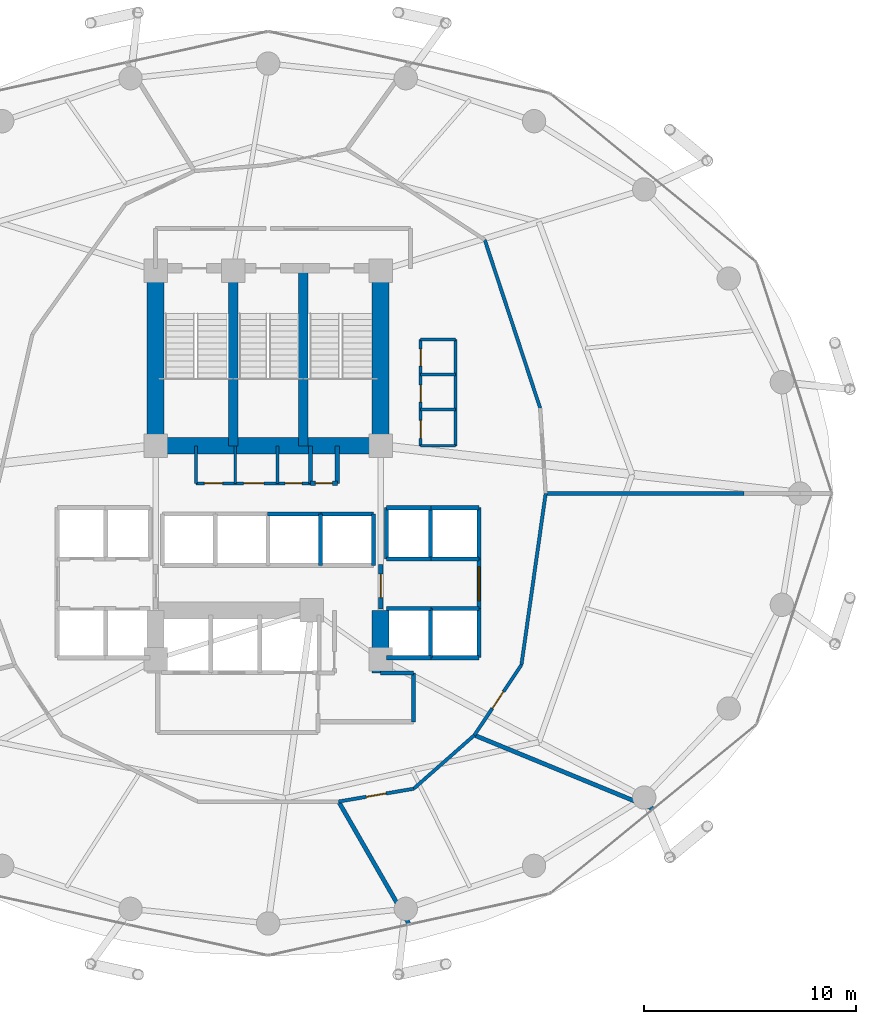
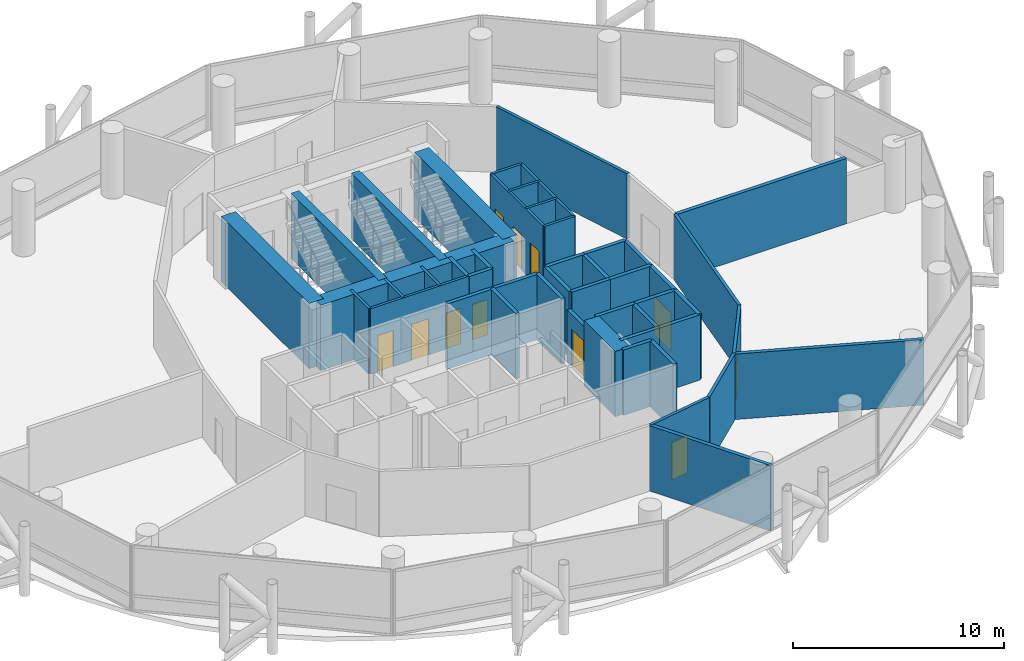
# One storey, part 22 of 24: 48 walls, 11 doors, 11 openings.
"""IFC4 building model written with IfcOpenShell, lengths in metres."""

from ifc_helpers import new_model, si_unit, direction, frame, frame_2d, origin, place, context, subcontext, project, spatial, rectangle, extrude, material, layer, layer_set, type_object, element, fill, save


model = new_model("IFC4")

# Units and contexts
model_context = context("Model", 3, precision=1e-05, world=origin(), true_north=direction((0.0, 1.0)))
body_context = subcontext(model_context, "Body", "Model", "MODEL_VIEW")
ifc_project = project(units=[si_unit("LENGTHUNIT", "METRE"), si_unit("AREAUNIT", "SQUARE_METRE"), si_unit("VOLUMEUNIT", "CUBIC_METRE"), si_unit("PLANEANGLEUNIT", "RADIAN"), si_unit("MASSUNIT", "GRAM", prefix="KILO")], contexts=[model_context])

# Site, building, storey
site_placement = place(None, origin())
site = spatial("IfcSite", under=ifc_project, at=site_placement, CompositionType="ELEMENT")
building_placement = place(site_placement, origin())
building = spatial("IfcBuilding", under=site, at=building_placement, Name="Nuhasar Tower", CompositionType="ELEMENT")
storey_placement = place(building_placement, frame((0.0, 0.0, 29.10009765625)))
storey = spatial("IfcBuildingStorey", under=building, at=storey_placement, Name="L06", CompositionType="ELEMENT", Elevation=29.10009765625)

# Walls
ifc_material_1 = material(Name="Concrete C50/60", Category="concrete")
ifc_layer_1 = layer(ifc_material_1, 0.449951171875)
ifc_layer_set_1 = layer_set([ifc_layer_1], Name="Concrete C50/60")
wall_type_1 = type_object("IfcWallType", Name="WL-CORE-450", PredefinedType="SHEAR", material=ifc_layer_set_1)
for number, where, z_axis, x_axis, name in (
    (1, (37.35009765625, 29.050048828125, 0.0), (0.0, 0.0, 1.0), (0.0, 1.0, 0.0), "L06 Stairwell Shear Wall ST01-E"),
    (2, (40.64990234375, 29.050048828125, 0.0), (0.0, 0.0, 1.0), (0.0, 1.0, 0.0), "L06 Stairwell Shear Wall ST03-E"),
):
    element("IfcWall", number, at=place(storey_placement, frame(where, z_axis=z_axis, x_axis=x_axis)), inside=storey, type_object=wall_type_1, Name=name, PredefinedType="SHEAR", context=body_context, shape_type="SweptSolid", body=[
        extrude(rectangle(XDim=8.349853515625, YDim=0.449951171875, at=frame_2d((4.1748046875, 0.0))), origin(), (0.0, 0.0, 1.0), 3.789794921875),
    ])
ifc_material_2 = material(Name="Concrete C80/95", Category="concrete")
ifc_layer_2 = layer(ifc_material_2, 0.800048828125)
ifc_layer_set_2 = layer_set([ifc_layer_2], Name="Concrete C80/95")
wall_type_2 = type_object("IfcWallType", Name="WL-CORE-800", PredefinedType="SHEAR", material=ifc_layer_set_2)
for number, where, z_axis, x_axis, name in (
    (3, (33.699951171875, 29.050048828125, 0.0), (0.0, 0.0, 1.0), (0.0, 1.0, 0.0), "L06 Core Shear Wall CW-NW CW-800"),
    (4, (44.300048828125, 29.050048828125, 0.0), (0.0, 0.0, 1.0), (0.0, 1.0, 0.0), "L06 Core Shear Wall CW-NE CW-800"),
):
    element("IfcWall", number, at=place(storey_placement, frame(where, z_axis=z_axis, x_axis=x_axis)), inside=storey, type_object=wall_type_2, Name=name, PredefinedType="SHEAR", context=body_context, shape_type="SweptSolid", body=[
        extrude(rectangle(XDim=8.349853515625, YDim=0.800048828125, at=frame_2d((4.1748046875, 0.0))), origin(), (0.0, 0.0, 1.0), 3.789794921875),
    ])
wall_1_placement = place(storey_placement, frame((44.300048828125, 18.35009765625, 0.0), z_axis=(0.0, 0.0, 1.0), x_axis=(0.0, 1.0, 0.0)))
element("IfcWall", 5, at=wall_1_placement, inside=storey, type_object=wall_type_2, Name="L06 Core Shear Wall CW-SE CW-800", PredefinedType="SHEAR", context=body_context, shape_type="SweptSolid", body=[
    extrude(rectangle(XDim=2.949951171875, YDim=0.800048828125, at=frame_2d((1.47509765625, 0.0))), origin(), (0.0, 0.0, 1.0), 3.789794921875),
])
wall_2_placement = place(storey_placement, frame((33.699951171875, 29.050048828125, 0.0), z_axis=(0.0, 0.0, 1.0), x_axis=(1.0, 0.0, 0.0)))
element("IfcWall", 6, at=wall_2_placement, inside=storey, type_object=wall_type_2, Name="L06 Core Shear Wall CW-N1 CW-800", PredefinedType="SHEAR", context=body_context, shape_type="SweptSolid", body=[
    extrude(rectangle(XDim=10.60009765625, YDim=0.800048828125, at=frame_2d((5.300048828125, 0.0))), origin(), (0.0, 0.0, 1.0), 3.789794921875),
])
ifc_material_3 = material(Name="Gypsum Board", Category="gypsum")
ifc_layer_3 = layer(ifc_material_3, 0.159912109375)
ifc_layer_set_3 = layer_set([ifc_layer_3], Name="Gypsum Board")
wall_type_3 = type_object("IfcWallType", Name="WL-CORR-160", PredefinedType="PARTITIONING", material=ifc_layer_set_3)
wall_3_placement = place(storey_placement, frame((51.81201171875, 30.822021484375, 0.0), z_axis=(0.0, 0.0, 1.0), x_axis=(-0.312751602659, 0.94983495147, 0.0)))
element("IfcWall", 7, at=wall_3_placement, inside=storey, type_object=wall_type_3, Name="L06 Interior Partition CORR-02", PredefinedType="PARTITIONING", context=body_context, shape_type="SweptSolid", body=[
    extrude(rectangle(XDim=8.3486328125, YDim=0.159912109375, at=frame_2d((4.17431640625, 0.0))), origin(), (0.0, 0.0, 1.0), 3.789794921875),
])

# Wall, opening, door
wall_4_placement = place(storey_placement, frame((45.85205078125, 12.89501953125, 0.0), z_axis=(0.0, 0.0, 1.0), x_axis=(-0.985751576779, -0.168207695658, 0.0)))
wall_4 = element("IfcWall", 8, at=wall_4_placement, inside=storey, type_object=wall_type_3, Name="L06 Interior Partition CORR-38", PredefinedType="PARTITIONING", context=body_context, shape_type="SweptSolid", body=[
    extrude(rectangle(XDim=3.5849609375, YDim=0.159912109375, at=frame_2d((1.79248046875, 0.0))), origin(), (0.0, 0.0, 1.0), 3.789794921875),
])
opening_1_placement = place(wall_4_placement, frame((1.318115234375, 0.0, 0.0)))
opening_1 = element("IfcOpeningElement", 9, at=opening_1_placement, cuts=wall_4, Name="Opening DO-01", PredefinedType="OPENING", context=body_context, shape_type="SweptSolid", body=[
    extrude(rectangle(XDim=0.949951171875, YDim=2.14990234375, at=frame_2d((0.47509765625, 1.074951171875))), frame((0.0, 0.08984375, 0.0), z_axis=(0.0, -1.0, 0.0), x_axis=(1.0, 0.0, 0.0)), (0.0, 0.0, 1.0), 0.179931640625),
])
ifc_material_4 = material(Name="Timber Oak", Category="wood")
door_type_1 = type_object("IfcDoorType", Name="DR-OFFICE-FD30-950", OperationType="NOTDEFINED", PredefinedType="DOOR", material=ifc_material_4)
door_1_placement = place(opening_1_placement, origin())
door_1 = element("IfcDoor", 10, at=door_1_placement, inside=storey, type_object=door_type_1, Name="L06 Client Wellness Lounge Entry Door", OperationType="SINGLE_SWING_RIGHT", OverallHeight=2.14990234375, OverallWidth=0.949951171875, PredefinedType="DOOR", context=body_context, shape_type="SweptSolid", body=[
    extrude(rectangle(XDim=0.949951171875, YDim=2.14990234375, at=frame_2d((0.47509765625, 1.074951171875))), frame((0.0, 0.02490234375, 0.0), z_axis=(0.0, -1.0, 0.0), x_axis=(1.0, 0.0, 0.0)), (0.0, 0.0, 1.0), 0.050048828125),
])
fill(opening_1, door_1)

# Wall
wall_5_placement = place(storey_placement, frame((45.85205078125, 12.89501953125, 0.0), z_axis=(0.0, 0.0, 1.0), x_axis=(0.75014962781, 0.661268127083, 0.0)))
element("IfcWall", 11, at=wall_5_placement, inside=storey, type_object=wall_type_3, Name="L06 Interior Partition CORR-40", PredefinedType="PARTITIONING", context=body_context, shape_type="SweptSolid", body=[
    extrude(rectangle(XDim=3.8154296875, YDim=0.159912109375, at=frame_2d((1.90771484375, 0.0))), origin(), (0.0, 0.0, 1.0), 3.789794921875),
])

# Wall, opening, door
wall_6_placement = place(storey_placement, frame((50.929931640625, 18.72998046875, 0.0), z_axis=(0.0, 0.0, 1.0), x_axis=(-0.556056751682, -0.831144324958, 0.0)))
wall_6 = element("IfcWall", 12, at=wall_6_placement, inside=storey, type_object=wall_type_3, Name="L06 Interior Partition CORR-42", PredefinedType="PARTITIONING", context=body_context, shape_type="SweptSolid", body=[
    extrude(rectangle(XDim=3.98486328125, YDim=0.159912109375, at=frame_2d((1.992431640625, 0.0))), origin(), (0.0, 0.0, 1.0), 3.789794921875),
])
opening_2_placement = place(wall_6_placement, frame((1.51708984375, 0.0, 0.0)))
opening_2 = element("IfcOpeningElement", 13, at=opening_2_placement, cuts=wall_6, Name="Opening DO-01", PredefinedType="OPENING", context=body_context, shape_type="SweptSolid", body=[
    extrude(rectangle(XDim=0.949951171875, YDim=2.14990234375, at=frame_2d((0.47509765625, 1.074951171875))), frame((0.0, 0.08984375, 0.0), z_axis=(0.0, -1.0, 0.0), x_axis=(1.0, 0.0, 0.0)), (0.0, 0.0, 1.0), 0.179931640625),
])
door_2_placement = place(opening_2_placement, origin())
door_2 = element("IfcDoor", 14, at=door_2_placement, inside=storey, type_object=door_type_1, Name="L06 Tenant Archive Store Entry Door", OperationType="SINGLE_SWING_RIGHT", OverallHeight=2.14990234375, OverallWidth=0.949951171875, PredefinedType="DOOR", context=body_context, shape_type="SweptSolid", body=[
    extrude(rectangle(XDim=0.949951171875, YDim=2.14990234375, at=frame_2d((0.47509765625, 1.074951171875))), frame((0.0, 0.02490234375, 0.0), z_axis=(0.0, -1.0, 0.0), x_axis=(1.0, 0.0, 0.0)), (0.0, 0.0, 1.0), 0.050048828125),
])
fill(opening_2, door_2)

# Wall
wall_7_placement = place(storey_placement, frame((50.929931640625, 18.72998046875, 0.0), z_axis=(0.0, 0.0, 1.0), x_axis=(0.139890479785, 0.990166982718, 0.0)))
element("IfcWall", 15, at=wall_7_placement, inside=storey, type_object=wall_type_3, Name="L06 Interior Partition CORR-44", PredefinedType="PARTITIONING", context=body_context, shape_type="SweptSolid", body=[
    extrude(rectangle(XDim=8.150146484375, YDim=0.159912109375, at=frame_2d((4.0751953125, 0.0))), origin(), (0.0, 0.0, 1.0), 3.789794921875),
])

# Wall, opening, door
ifc_material_5 = material(Name="Concrete C45/55", Category="concrete")
ifc_layer_4 = layer(ifc_material_5, 0.199951171875)
ifc_layer_set_4 = layer_set([ifc_layer_4], Name="Concrete C45/55")
wall_type_4 = type_object("IfcWallType", Name="WL-LOBBY-200", PredefinedType="SOLIDWALL", material=ifc_layer_set_4)
wall_8_placement = place(storey_placement, frame((48.929931640625, 21.3798828125, 0.0), z_axis=(0.0, 0.0, 1.0), x_axis=(0.0, 1.0, 0.0)))
wall_8 = element("IfcWall", 16, at=wall_8_placement, inside=storey, type_object=wall_type_4, Name="L06 Interior Partition LLBM-E", PredefinedType="SOLIDWALL", context=body_context, shape_type="SweptSolid", body=[
    extrude(rectangle(XDim=2.340087890625, YDim=0.199951171875, at=frame_2d((1.169921875, 0.0))), origin(), (0.0, 0.0, 1.0), 3.789794921875),
])
opening_3_placement = place(wall_8_placement, frame((0.3701171875, 0.0, 0.0)))
opening_3 = element("IfcOpeningElement", 17, at=opening_3_placement, cuts=wall_8, Name="Opening DC-01", PredefinedType="OPENING", context=body_context, shape_type="SweptSolid", body=[
    extrude(rectangle(XDim=1.60009765625, YDim=2.199951171875, at=frame_2d((0.800048828125, 1.10009765625))), frame((0.0, 0.10986328125, 0.0), z_axis=(0.0, -1.0, 0.0), x_axis=(1.0, 0.0, 0.0)), (0.0, 0.0, 1.0), 0.219970703125),
])
ifc_material_6 = material(Name="Steel S355", Category="steel")
door_type_2 = type_object("IfcDoorType", Name="DR-CORR-FD60-1600", OperationType="DOUBLE_DOOR_SINGLE_SWING", PredefinedType="DOOR", material=ifc_material_6)
door_3_placement = place(opening_3_placement, origin())
door_3 = element("IfcDoor", 18, at=door_3_placement, inside=storey, type_object=door_type_2, Name="L06 Mid-Rise Lift Lobby East Entry", OperationType="DOUBLE_DOOR_SINGLE_SWING", OverallHeight=2.199951171875, OverallWidth=1.60009765625, PredefinedType="DOOR", context=body_context, shape_type="SweptSolid", body=[
    extrude(rectangle(XDim=1.60009765625, YDim=2.199951171875, at=frame_2d((0.800048828125, 1.10009765625))), frame((0.0, 0.02490234375, 0.0), z_axis=(0.0, -1.0, 0.0), x_axis=(1.0, 0.0, 0.0)), (0.0, 0.0, 1.0), 0.050048828125),
])
fill(opening_3, door_3)

wall_9_placement = place(storey_placement, frame((44.300048828125, 21.35009765625, 0.0), z_axis=(0.0, 0.0, 1.0), x_axis=(0.0, 1.0, 0.0)))
wall_9 = element("IfcWall", 19, at=wall_9_placement, inside=storey, type_object=wall_type_4, Name="L06 Interior Partition LLBH-E", PredefinedType="SOLIDWALL", context=body_context, shape_type="SweptSolid", body=[
    extrude(rectangle(XDim=2.099853515625, YDim=0.199951171875, at=frame_2d((1.0498046875, 0.0))), origin(), (0.0, 0.0, 1.0), 3.010009765625),
])
opening_4_placement = place(wall_9_placement, frame((0.550048828125, 0.0, 0.0)))
opening_4 = element("IfcOpeningElement", 20, at=opening_4_placement, cuts=wall_9, Name="Opening DS-02", PredefinedType="OPENING", context=body_context, shape_type="SweptSolid", body=[
    extrude(rectangle(XDim=1.10009765625, YDim=2.14990234375, at=frame_2d((0.550048828125, 1.074951171875))), frame((0.0, 0.10986328125, 0.0), z_axis=(0.0, -1.0, 0.0), x_axis=(1.0, 0.0, 0.0)), (0.0, 0.0, 1.0), 0.219970703125),
])
door_type_3 = type_object("IfcDoorType", Name="DR-FFL-FD120-1100", OperationType="NOTDEFINED", PredefinedType="DOOR", material=ifc_material_6)
door_4_placement = place(opening_4_placement, origin())
door_4 = element("IfcDoor", 21, at=door_4_placement, inside=storey, type_object=door_type_3, Name="L06 High-Rise Lobby East Door", OperationType="SINGLE_SWING_RIGHT", OverallHeight=2.14990234375, OverallWidth=1.10009765625, PredefinedType="DOOR", context=body_context, shape_type="SweptSolid", body=[
    extrude(rectangle(XDim=1.10009765625, YDim=2.14990234375, at=frame_2d((0.550048828125, 1.074951171875))), frame((0.0, 0.02490234375, 0.0), z_axis=(0.0, -1.0, 0.0), x_axis=(1.0, 0.0, 0.0)), (0.0, 0.0, 1.0), 0.050048828125),
])
fill(opening_4, door_4)

# Walls
wall_10_placement = place(storey_placement, frame((45.85009765625, 16.050048828125, 0.0), z_axis=(0.0, 0.0, 1.0), x_axis=(0.0, 1.0, 0.0)))
element("IfcWall", 22, at=wall_10_placement, inside=storey, type_object=wall_type_4, Name="L06 Interior Partition SVLV-E", PredefinedType="SOLIDWALL", context=body_context, shape_type="SweptSolid", body=[
    extrude(rectangle(XDim=2.300048828125, YDim=0.199951171875, at=frame_2d((1.14990234375, 0.0))), origin(), (0.0, 0.0, 1.0), 3.789794921875),
])
wall_11_placement = place(storey_placement, frame((44.300048828125, 18.35009765625, 0.0), z_axis=(0.0, 0.0, 1.0), x_axis=(1.0, 0.0, 0.0)))
element("IfcWall", 23, at=wall_11_placement, inside=storey, type_object=wall_type_4, Name="L06 Interior Partition SVLV-N", PredefinedType="SOLIDWALL", context=body_context, shape_type="SweptSolid", body=[
    extrude(rectangle(XDim=1.550048828125, YDim=0.199951171875, at=frame_2d((0.77490234375, 0.0))), origin(), (0.0, 0.0, 1.0), 3.789794921875),
])
ifc_layer_5 = layer(ifc_material_5, 0.199951171875)
ifc_layer_set_5 = layer_set([ifc_layer_5], Name="Concrete C45/55")
wall_type_5 = type_object("IfcWallType", Name="WL-SHAFT-200", PredefinedType="SOLIDWALL", material=ifc_layer_set_5)
for number, where, z_axis, x_axis, name in (
    (24, (41.0, 27.280029296875, 0.0), (0.0, 0.0, 1.0), (0.0, 1.0, 0.0), "L06 Interior Partition RSRN-W"),
    (25, (42.260009765625, 27.280029296875, 0.0), (0.0, 0.0, 1.0), (0.0, 1.0, 0.0), "L06 Interior Partition RSRN-E"),
):
    element("IfcWall", number, at=place(storey_placement, frame(where, z_axis=z_axis, x_axis=x_axis)), inside=storey, type_object=wall_type_5, Name=name, PredefinedType="SOLIDWALL", context=body_context, shape_type="SweptSolid", body=[
        extrude(rectangle(XDim=1.77001953125, YDim=0.199951171875, at=frame_2d((0.885009765625, 0.0))), origin(), (0.0, 0.0, 1.0), 3.789794921875),
    ])

# Wall, opening, door
wall_12_placement = place(storey_placement, frame((41.0, 27.280029296875, 0.0), z_axis=(0.0, 0.0, 1.0), x_axis=(1.0, 0.0, 0.0)))
wall_12 = element("IfcWall", 26, at=wall_12_placement, inside=storey, type_object=wall_type_5, Name="L06 Interior Partition RSRN-S", PredefinedType="SOLIDWALL", context=body_context, shape_type="SweptSolid", body=[
    extrude(rectangle(XDim=1.260009765625, YDim=0.199951171875, at=frame_2d((0.6298828125, 0.0))), origin(), (0.0, 0.0, 1.0), 3.789794921875),
])
opening_5_placement = place(wall_12_placement, frame((0.22998046875, 0.0, 0.0)))
opening_5 = element("IfcOpeningElement", 27, at=opening_5_placement, cuts=wall_12, Name="Opening DM-01", PredefinedType="OPENING", context=body_context, shape_type="SweptSolid", body=[
    extrude(rectangle(XDim=0.800048828125, YDim=2.050048828125, at=frame_2d((0.39990234375, 1.02490234375))), frame((0.0, 0.10986328125, 0.0), z_axis=(0.0, -1.0, 0.0), x_axis=(1.0, 0.0, 0.0)), (0.0, 0.0, 1.0), 0.219970703125),
])
door_type_4 = type_object("IfcDoorType", Name="DR-RISER-FD60-800", OperationType="NOTDEFINED", PredefinedType="DOOR", material=ifc_material_6)
door_5_placement = place(opening_5_placement, origin())
door_5 = element("IfcDoor", 28, at=door_5_placement, inside=storey, type_object=door_type_4, Name="L06 North Smoke Riser Door", OperationType="SINGLE_SWING_RIGHT", OverallHeight=2.050048828125, OverallWidth=0.800048828125, PredefinedType="DOOR", context=body_context, shape_type="SweptSolid", body=[
    extrude(rectangle(XDim=0.800048828125, YDim=2.050048828125, at=frame_2d((0.39990234375, 1.02490234375))), frame((0.0, 0.02490234375, 0.0), z_axis=(0.0, -1.0, 0.0), x_axis=(1.0, 0.0, 0.0)), (0.0, 0.0, 1.0), 0.050048828125),
])
fill(opening_5, door_5)

# Walls
for number, where, z_axis, x_axis, name in (
    (29, (44.570068359375, 23.719970703125, 0.0), (0.0, 0.0, 1.0), (1.0, 0.0, 0.0), "L06 Interior Partition SHF-PL-M01-S"),
    (30, (44.570068359375, 26.1298828125, 0.0), (0.0, 0.0, 1.0), (1.0, 0.0, 0.0), "L06 Interior Partition SHF-PL-M01-N"),
):
    element("IfcWall", number, at=place(storey_placement, frame(where, z_axis=z_axis, x_axis=x_axis)), inside=storey, type_object=wall_type_5, Name=name, PredefinedType="SOLIDWALL", context=body_context, shape_type="SweptSolid", body=[
        extrude(rectangle(XDim=2.10986328125, YDim=0.199951171875, at=frame_2d((1.054931640625, 0.0))), origin(), (0.0, 0.0, 1.0), 3.789794921875),
    ])
for number, where, z_axis, x_axis, name in (
    (31, (44.570068359375, 23.719970703125, 0.0), (0.0, 0.0, 1.0), (0.0, 1.0, 0.0), "L06 Interior Partition SHF-PL-M01-W"),
    (32, (46.64990234375, 23.719970703125, 0.0), (0.0, 0.0, 1.0), (0.0, 1.0, 0.0), "L06 Interior Partition SHF-PL-M01-E"),
):
    element("IfcWall", number, at=place(storey_placement, frame(where, z_axis=z_axis, x_axis=x_axis)), inside=storey, type_object=wall_type_5, Name=name, PredefinedType="SOLIDWALL", context=body_context, shape_type="SweptSolid", body=[
        extrude(rectangle(XDim=2.409912109375, YDim=0.199951171875, at=frame_2d((1.205078125, 0.0))), origin(), (0.0, 0.0, 1.0), 3.789794921875),
    ])
for number, where, z_axis, x_axis, name in (
    (33, (46.6201171875, 23.719970703125, 0.0), (0.0, 0.0, 1.0), (1.0, 0.0, 0.0), "L06 Interior Partition SHF-PL-M02-S"),
    (34, (46.6201171875, 26.1298828125, 0.0), (0.0, 0.0, 1.0), (1.0, 0.0, 0.0), "L06 Interior Partition SHF-PL-M02-N"),
):
    element("IfcWall", number, at=place(storey_placement, frame(where, z_axis=z_axis, x_axis=x_axis)), inside=storey, type_object=wall_type_5, Name=name, PredefinedType="SOLIDWALL", context=body_context, shape_type="SweptSolid", body=[
        extrude(rectangle(XDim=2.309814453125, YDim=0.199951171875, at=frame_2d((1.15478515625, 0.0))), origin(), (0.0, 0.0, 1.0), 3.789794921875),
    ])
wall_13_placement = place(storey_placement, frame((48.929931640625, 23.719970703125, 0.0), z_axis=(0.0, 0.0, 1.0), x_axis=(0.0, 1.0, 0.0)))
element("IfcWall", 35, at=wall_13_placement, inside=storey, type_object=wall_type_5, Name="L06 Interior Partition SHF-PL-M02-E", PredefinedType="SOLIDWALL", context=body_context, shape_type="SweptSolid", body=[
    extrude(rectangle(XDim=2.409912109375, YDim=0.199951171875, at=frame_2d((1.205078125, 0.0))), origin(), (0.0, 0.0, 1.0), 3.789794921875),
])
for number, where, z_axis, x_axis, name in (
    (36, (44.570068359375, 19.070068359375, 0.0), (0.0, 0.0, 1.0), (1.0, 0.0, 0.0), "L06 Interior Partition SHF-PL-M03-S"),
    (37, (44.570068359375, 21.3798828125, 0.0), (0.0, 0.0, 1.0), (1.0, 0.0, 0.0), "L06 Interior Partition SHF-PL-M03-N"),
):
    element("IfcWall", number, at=place(storey_placement, frame(where, z_axis=z_axis, x_axis=x_axis)), inside=storey, type_object=wall_type_5, Name=name, PredefinedType="SOLIDWALL", context=body_context, shape_type="SweptSolid", body=[
        extrude(rectangle(XDim=2.10986328125, YDim=0.199951171875, at=frame_2d((1.054931640625, 0.0))), origin(), (0.0, 0.0, 1.0), 3.789794921875),
    ])
for number, where, z_axis, x_axis, name in (
    (38, (46.64990234375, 19.070068359375, 0.0), (0.0, 0.0, 1.0), (0.0, 1.0, 0.0), "L06 Interior Partition SHF-PL-M03-E"),
    (39, (46.6201171875, 19.070068359375, 0.0), (0.0, 0.0, 1.0), (1.0, 0.0, 0.0), "L06 Interior Partition SHF-PL-M04-S"),
    (40, (46.6201171875, 21.3798828125, 0.0), (0.0, 0.0, 1.0), (1.0, 0.0, 0.0), "L06 Interior Partition SHF-PL-M04-N"),
    (41, (48.929931640625, 19.070068359375, 0.0), (0.0, 0.0, 1.0), (0.0, 1.0, 0.0), "L06 Interior Partition SHF-PL-M04-E"),
):
    element("IfcWall", number, at=place(storey_placement, frame(where, z_axis=z_axis, x_axis=x_axis)), inside=storey, type_object=wall_type_5, Name=name, PredefinedType="SOLIDWALL", context=body_context, shape_type="SweptSolid", body=[
        extrude(rectangle(XDim=2.309814453125, YDim=0.199951171875, at=frame_2d((1.15478515625, 0.0))), origin(), (0.0, 0.0, 1.0), 3.789794921875),
    ])
wall_14_placement = place(storey_placement, frame((38.97998046875, 25.830078125, 0.0), z_axis=(0.0, 0.0, 1.0), x_axis=(1.0, 0.0, 0.0)))
element("IfcWall", 42, at=wall_14_placement, inside=storey, type_object=wall_type_5, Name="L06 Interior Partition SHF-PL-H03-N", PredefinedType="SOLIDWALL", context=body_context, shape_type="SweptSolid", body=[
    extrude(rectangle(XDim=2.5, YDim=0.199951171875, at=frame_2d((1.25, 0.0))), origin(), (0.0, 0.0, 1.0), 3.789794921875),
])
wall_15_placement = place(storey_placement, frame((41.469970703125, 23.419921875, 0.0), z_axis=(0.0, 0.0, 1.0), x_axis=(0.0, 1.0, 0.0)))
element("IfcWall", 43, at=wall_15_placement, inside=storey, type_object=wall_type_5, Name="L06 Interior Partition SHF-PL-H03-E", PredefinedType="SOLIDWALL", context=body_context, shape_type="SweptSolid", body=[
    extrude(rectangle(XDim=2.41015625, YDim=0.199951171875, at=frame_2d((1.205078125, 0.0))), origin(), (0.0, 0.0, 1.0), 3.789794921875),
])
wall_16_placement = place(storey_placement, frame((41.4599609375, 25.830078125, 0.0), z_axis=(0.0, 0.0, 1.0), x_axis=(1.0, 0.0, 0.0)))
element("IfcWall", 44, at=wall_16_placement, inside=storey, type_object=wall_type_5, Name="L06 Interior Partition SHF-PL-H04-N", PredefinedType="SOLIDWALL", context=body_context, shape_type="SweptSolid", body=[
    extrude(rectangle(XDim=2.5, YDim=0.199951171875, at=frame_2d((1.25, 0.0))), origin(), (0.0, 0.0, 1.0), 3.789794921875),
])
wall_17_placement = place(storey_placement, frame((43.9599609375, 23.419921875, 0.0), z_axis=(0.0, 0.0, 1.0), x_axis=(0.0, 1.0, 0.0)))
element("IfcWall", 45, at=wall_17_placement, inside=storey, type_object=wall_type_5, Name="L06 Interior Partition SHF-PL-H04-E", PredefinedType="SOLIDWALL", context=body_context, shape_type="SweptSolid", body=[
    extrude(rectangle(XDim=2.41015625, YDim=0.199951171875, at=frame_2d((1.205078125, 0.0))), origin(), (0.0, 0.0, 1.0), 3.789794921875),
])
ifc_material_7 = material(Name="Concrete C40/50 precast", Category="concrete")
ifc_layer_6 = layer(ifc_material_7, 0.199951171875)
ifc_layer_set_6 = layer_set([ifc_layer_6], Name="Concrete C40/50 precast")
wall_type_6 = type_object("IfcWallType", Name="WL-UNIT-200", PredefinedType="PARTITIONING", material=ifc_layer_set_6)
wall_18_placement = place(storey_placement, frame((52.070068359375, 26.800048828125, 0.0), z_axis=(0.0, 0.0, 1.0), x_axis=(1.0, 0.0, 0.0)))
element("IfcWall", 46, at=wall_18_placement, inside=storey, type_object=wall_type_6, Name="L06 Interior Partition ORAD-00", PredefinedType="PARTITIONING", context=body_context, shape_type="SweptSolid", body=[
    extrude(rectangle(XDim=9.330810546875, YDim=0.199951171875, at=frame_2d((4.66552734375, 0.0))), origin(), (0.0, 0.0, 1.0), 3.789794921875),
])
wall_19_placement = place(storey_placement, frame((42.318115234375, 12.2919921875, 0.0), z_axis=(0.0, 0.0, 1.0), x_axis=(0.498565662125, -0.866851936925, 0.0)))
element("IfcWall", 47, at=wall_19_placement, inside=storey, type_object=wall_type_6, Name="L06 Interior Partition ORAD-38", PredefinedType="PARTITIONING", context=body_context, shape_type="SweptSolid", body=[
    extrude(rectangle(XDim=6.64697265625, YDim=0.199951171875, at=frame_2d((3.323486328125, 0.0))), origin(), (0.0, 0.0, 1.0), 3.789794921875),
])
wall_20_placement = place(storey_placement, frame((48.714111328125, 15.41796875, 0.0), z_axis=(0.0, 0.0, 1.0), x_axis=(0.924792688949, -0.38047139507, 0.0)))
element("IfcWall", 48, at=wall_20_placement, inside=storey, type_object=wall_type_6, Name="L06 Interior Partition ORAD-42", PredefinedType="PARTITIONING", context=body_context, shape_type="SweptSolid", body=[
    extrude(rectangle(XDim=9.086181640625, YDim=0.199951171875, at=frame_2d((4.54296875, 0.0))), origin(), (0.0, 0.0, 1.0), 3.789794921875),
])
ifc_layer_7 = layer(ifc_material_7, 0.139892578125)
ifc_layer_set_7 = layer_set([ifc_layer_7], Name="Concrete C40/50 precast")
wall_type_7 = type_object("IfcWallType", Name="WL-WET-140", PredefinedType="PARTITIONING", material=ifc_layer_set_7)
wall_21_placement = place(storey_placement, frame((35.60009765625, 27.280029296875, 0.0), z_axis=(0.0, 0.0, 1.0), x_axis=(0.0, 1.0, 0.0)))
element("IfcWall", 49, at=wall_21_placement, inside=storey, type_object=wall_type_7, Name="L06 Interior Partition CSVC-W", PredefinedType="PARTITIONING", context=body_context, shape_type="SweptSolid", body=[
    extrude(rectangle(XDim=1.77001953125, YDim=0.139892578125, at=frame_2d((0.885009765625, 0.0))), origin(), (0.0, 0.0, 1.0), 3.789794921875),
])

# Wall, openings, doors
wall_22_placement = place(storey_placement, frame((35.60009765625, 27.280029296875, 0.0), z_axis=(0.0, 0.0, 1.0), x_axis=(1.0, 0.0, 0.0)))
wall_22 = element("IfcWall", 50, at=wall_22_placement, inside=storey, type_object=wall_type_7, Name="L06 Interior Partition CSVC-S", PredefinedType="PARTITIONING", context=body_context, shape_type="SweptSolid", body=[
    extrude(rectangle(XDim=5.39990234375, YDim=0.139892578125, at=frame_2d((2.699951171875, 0.0))), origin(), (0.0, 0.0, 1.0), 3.789794921875),
])
opening_6_placement = place(wall_22_placement, frame((0.39990234375, 0.0, 0.0)))
opening_6 = element("IfcOpeningElement", 51, at=opening_6_placement, cuts=wall_22, Name="Opening DB-01", PredefinedType="OPENING", context=body_context, shape_type="SweptSolid", body=[
    extrude(rectangle(XDim=0.85009765625, YDim=2.10009765625, at=frame_2d((0.425048828125, 1.050048828125))), frame((0.0, 0.080078125, 0.0), z_axis=(0.0, -1.0, 0.0), x_axis=(1.0, 0.0, 0.0)), (0.0, 0.0, 1.0), 0.159912109375),
])
opening_7_placement = place(wall_22_placement, frame((2.25, 0.0, 0.0)))
opening_7 = element("IfcOpeningElement", 52, at=opening_7_placement, cuts=wall_22, Name="Opening DA-01", PredefinedType="OPENING", context=body_context, shape_type="SweptSolid", body=[
    extrude(rectangle(XDim=0.949951171875, YDim=2.10009765625, at=frame_2d((0.47509765625, 1.050048828125))), frame((0.0, 0.080078125, 0.0), z_axis=(0.0, -1.0, 0.0), x_axis=(1.0, 0.0, 0.0)), (0.0, 0.0, 1.0), 0.159912109375),
])
opening_8_placement = place(wall_22_placement, frame((4.199951171875, 0.0, 0.0)))
opening_8 = element("IfcOpeningElement", 53, at=opening_8_placement, cuts=wall_22, Name="Opening DM-01", PredefinedType="OPENING", context=body_context, shape_type="SweptSolid", body=[
    extrude(rectangle(XDim=0.800048828125, YDim=2.050048828125, at=frame_2d((0.39990234375, 1.02490234375))), frame((0.0, 0.080078125, 0.0), z_axis=(0.0, -1.0, 0.0), x_axis=(1.0, 0.0, 0.0)), (0.0, 0.0, 1.0), 0.159912109375),
])
door_type_5 = type_object("IfcDoorType", Name="DR-ACCWC-950", OperationType="NOTDEFINED", PredefinedType="DOOR", material=ifc_material_4)
door_6_placement = place(opening_7_placement, origin())
door_6 = element("IfcDoor", 54, at=door_6_placement, inside=storey, type_object=door_type_5, Name="L06 Core Accessible WC Door", OperationType="SINGLE_SWING_RIGHT", OverallHeight=2.10009765625, OverallWidth=0.949951171875, PredefinedType="DOOR", context=body_context, shape_type="SweptSolid", body=[
    extrude(rectangle(XDim=0.949951171875, YDim=2.10009765625, at=frame_2d((0.47509765625, 1.050048828125))), frame((0.0, 0.02490234375, 0.0), z_axis=(0.0, -1.0, 0.0), x_axis=(1.0, 0.0, 0.0)), (0.0, 0.0, 1.0), 0.050048828125),
])
fill(opening_7, door_6)
door_type_6 = type_object("IfcDoorType", Name="DR-BATH-850", OperationType="NOTDEFINED", PredefinedType="DOOR", material=ifc_material_4)
door_7_placement = place(opening_6_placement, origin())
door_7 = element("IfcDoor", 55, at=door_7_placement, inside=storey, type_object=door_type_6, Name="L06 Core Male WC Door", OperationType="SINGLE_SWING_LEFT", OverallHeight=2.10009765625, OverallWidth=0.85009765625, PredefinedType="DOOR", context=body_context, shape_type="SweptSolid", body=[
    extrude(rectangle(XDim=0.85009765625, YDim=2.10009765625, at=frame_2d((0.425048828125, 1.050048828125))), frame((0.0, 0.02490234375, 0.0), z_axis=(0.0, -1.0, 0.0), x_axis=(1.0, 0.0, 0.0)), (0.0, 0.0, 1.0), 0.050048828125),
])
fill(opening_6, door_7)
door_8_placement = place(opening_8_placement, origin())
door_8 = element("IfcDoor", 56, at=door_8_placement, inside=storey, type_object=door_type_4, Name="L06 Core Janitor Door", OperationType="SINGLE_SWING_RIGHT", OverallHeight=2.050048828125, OverallWidth=0.800048828125, PredefinedType="DOOR", context=body_context, shape_type="SweptSolid", body=[
    extrude(rectangle(XDim=0.800048828125, YDim=2.050048828125, at=frame_2d((0.39990234375, 1.02490234375))), frame((0.0, 0.02490234375, 0.0), z_axis=(0.0, -1.0, 0.0), x_axis=(1.0, 0.0, 0.0)), (0.0, 0.0, 1.0), 0.050048828125),
])
fill(opening_8, door_8)

# Walls
for number, where, z_axis, x_axis, name in (
    (57, (37.449951171875, 27.280029296875, 0.0), (0.0, 0.0, 1.0), (0.0, 1.0, 0.0), "L06 Interior Partition K1-P1"),
    (58, (39.449951171875, 27.280029296875, 0.0), (0.0, 0.0, 1.0), (0.0, 1.0, 0.0), "L06 Interior Partition K1-P2"),
):
    element("IfcWall", number, at=place(storey_placement, frame(where, z_axis=z_axis, x_axis=x_axis)), inside=storey, type_object=wall_type_7, Name=name, PredefinedType="PARTITIONING", context=body_context, shape_type="SweptSolid", body=[
        extrude(rectangle(XDim=1.77001953125, YDim=0.139892578125, at=frame_2d((0.885009765625, 0.0))), origin(), (0.0, 0.0, 1.0), 3.789794921875),
    ])

# Wall, openings, doors
wall_23_placement = place(storey_placement, frame((46.179931640625, 34.050048828125, 0.0), z_axis=(0.0, 0.0, 1.0), x_axis=(0.0, -1.0, 0.0)))
wall_23 = element("IfcWall", 59, at=wall_23_placement, inside=storey, type_object=wall_type_7, Name="L06 Interior Partition K1-NE-W", PredefinedType="PARTITIONING", context=body_context, shape_type="SweptSolid", body=[
    extrude(rectangle(XDim=5.0, YDim=0.139892578125, at=frame_2d((2.5, 0.0))), origin(), (0.0, 0.0, 1.0), 3.789794921875),
])
opening_9_placement = place(wall_23_placement, frame((3.800048828125, 0.0, 0.0)))
opening_9 = element("IfcOpeningElement", 60, at=opening_9_placement, cuts=wall_23, Name="Opening DB-01", PredefinedType="OPENING", context=body_context, shape_type="SweptSolid", body=[
    extrude(rectangle(XDim=0.85009765625, YDim=2.10009765625, at=frame_2d((0.425048828125, 1.050048828125))), frame((0.0, 0.080078125, 0.0), z_axis=(0.0, -1.0, 0.0), x_axis=(1.0, 0.0, 0.0)), (0.0, 0.0, 1.0), 0.159912109375),
])
opening_10_placement = place(wall_23_placement, frame((2.14990234375, 0.0, 0.0)))
opening_10 = element("IfcOpeningElement", 61, at=opening_10_placement, cuts=wall_23, Name="Opening DM-01", PredefinedType="OPENING", context=body_context, shape_type="SweptSolid", body=[
    extrude(rectangle(XDim=0.800048828125, YDim=2.050048828125, at=frame_2d((0.39990234375, 1.02490234375))), frame((0.0, 0.080078125, 0.0), z_axis=(0.0, -1.0, 0.0), x_axis=(1.0, 0.0, 0.0)), (0.0, 0.0, 1.0), 0.159912109375),
])
opening_11_placement = place(wall_23_placement, frame((0.449951171875, 0.0, 0.0)))
opening_11 = element("IfcOpeningElement", 62, at=opening_11_placement, cuts=wall_23, Name="Opening DM-01", PredefinedType="OPENING", context=body_context, shape_type="SweptSolid", body=[
    extrude(rectangle(XDim=0.800048828125, YDim=2.050048828125, at=frame_2d((0.39990234375, 1.02490234375))), frame((0.0, 0.080078125, 0.0), z_axis=(0.0, -1.0, 0.0), x_axis=(1.0, 0.0, 0.0)), (0.0, 0.0, 1.0), 0.159912109375),
])
door_9_placement = place(opening_9_placement, origin())
door_9 = element("IfcDoor", 63, at=door_9_placement, inside=storey, type_object=door_type_6, Name="L06 NE Female WC Door", OperationType="SINGLE_SWING_RIGHT", OverallHeight=2.10009765625, OverallWidth=0.85009765625, PredefinedType="DOOR", context=body_context, shape_type="SweptSolid", body=[
    extrude(rectangle(XDim=0.85009765625, YDim=2.10009765625, at=frame_2d((0.425048828125, 1.050048828125))), frame((0.0, 0.02490234375, 0.0), z_axis=(0.0, -1.0, 0.0), x_axis=(1.0, 0.0, 0.0)), (0.0, 0.0, 1.0), 0.050048828125),
])
fill(opening_9, door_9)
door_10_placement = place(opening_10_placement, origin())
door_10 = element("IfcDoor", 64, at=door_10_placement, inside=storey, type_object=door_type_4, Name="L06 NE Meter Door", OperationType="SINGLE_SWING_RIGHT", OverallHeight=2.050048828125, OverallWidth=0.800048828125, PredefinedType="DOOR", context=body_context, shape_type="SweptSolid", body=[
    extrude(rectangle(XDim=0.800048828125, YDim=2.050048828125, at=frame_2d((0.39990234375, 1.02490234375))), frame((0.0, 0.02490234375, 0.0), z_axis=(0.0, -1.0, 0.0), x_axis=(1.0, 0.0, 0.0)), (0.0, 0.0, 1.0), 0.050048828125),
])
fill(opening_10, door_10)
door_11_placement = place(opening_11_placement, origin())
door_11 = element("IfcDoor", 65, at=door_11_placement, inside=storey, type_object=door_type_4, Name="L06 NE Telecom Door", OperationType="SINGLE_SWING_LEFT", OverallHeight=2.050048828125, OverallWidth=0.800048828125, PredefinedType="DOOR", context=body_context, shape_type="SweptSolid", body=[
    extrude(rectangle(XDim=0.800048828125, YDim=2.050048828125, at=frame_2d((0.39990234375, 1.02490234375))), frame((0.0, 0.02490234375, 0.0), z_axis=(0.0, -1.0, 0.0), x_axis=(1.0, 0.0, 0.0)), (0.0, 0.0, 1.0), 0.050048828125),
])
fill(opening_11, door_11)

# Walls
for number, where, z_axis, x_axis, name in (
    (66, (46.179931640625, 29.050048828125, 0.0), (0.0, 0.0, 1.0), (1.0, 0.0, 0.0), "L06 Interior Partition K1-NE-S"),
    (67, (46.179931640625, 30.75, 0.0), (0.0, 0.0, 1.0), (1.0, 0.0, 0.0), "L06 Interior Partition K1-NE-M1"),
    (68, (46.179931640625, 32.39990234375, 0.0), (0.0, 0.0, 1.0), (1.0, 0.0, 0.0), "L06 Interior Partition K1-NE-M2"),
    (69, (46.179931640625, 34.050048828125, 0.0), (0.0, 0.0, 1.0), (1.0, 0.0, 0.0), "L06 Interior Partition K1-NE-N"),
):
    element("IfcWall", number, at=place(storey_placement, frame(where, z_axis=z_axis, x_axis=x_axis)), inside=storey, type_object=wall_type_7, Name=name, PredefinedType="PARTITIONING", context=body_context, shape_type="SweptSolid", body=[
        extrude(rectangle(XDim=1.64013671875, YDim=0.139892578125, at=frame_2d((0.820068359375, 0.0))), origin(), (0.0, 0.0, 1.0), 3.789794921875),
    ])
wall_24_placement = place(storey_placement, frame((47.820068359375, 29.050048828125, 0.0), z_axis=(0.0, 0.0, 1.0), x_axis=(0.0, 1.0, 0.0)))
element("IfcWall", 70, at=wall_24_placement, inside=storey, type_object=wall_type_7, Name="L06 Interior Partition K1-NE-E", PredefinedType="PARTITIONING", context=body_context, shape_type="SweptSolid", body=[
    extrude(rectangle(XDim=5.0, YDim=0.139892578125, at=frame_2d((2.5, 0.0))), origin(), (0.0, 0.0, 1.0), 3.789794921875),
])

save(model, "model.ifc")
